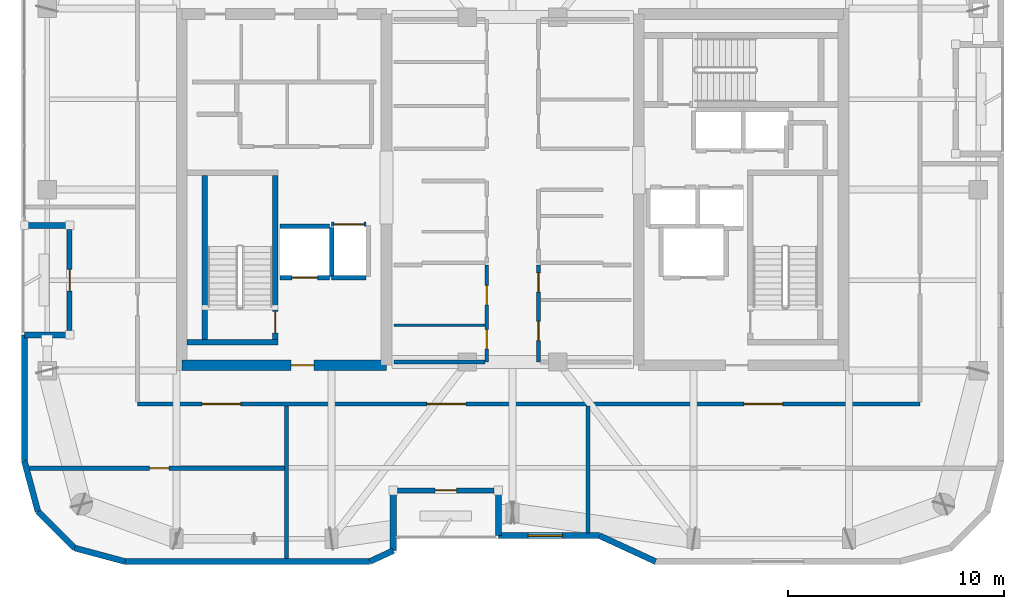
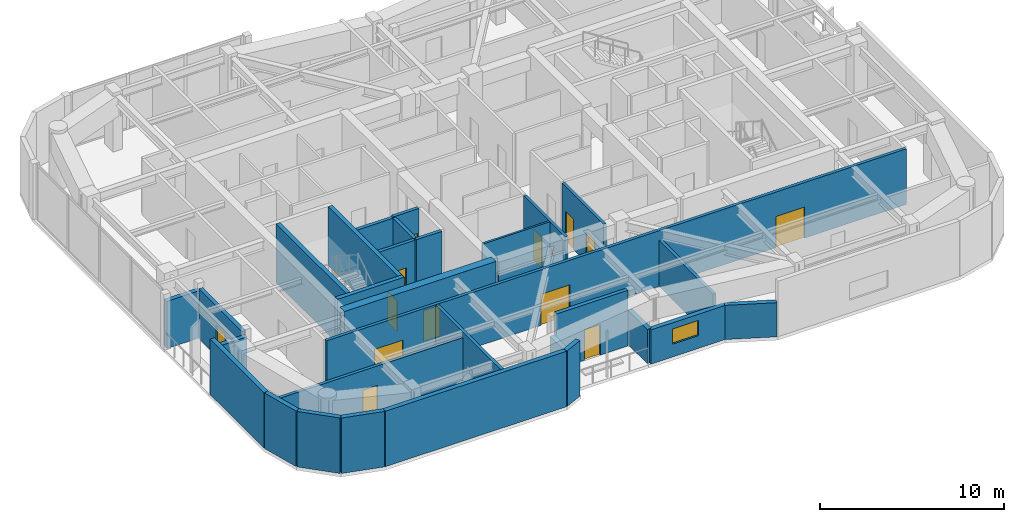
# One storey, part 10 of 16: 31 walls, 14 doors, 1 window, 15 openings.
"""IFC4 building model written with IfcOpenShell, lengths in metres."""

from ifc_helpers import new_model, si_unit, direction, frame, frame_2d, origin, place, context, subcontext, project, spatial, rectangle, extrude, material, layer, layer_set, type_object, element, fill, save


model = new_model("IFC4")

# Units and contexts
model_context = context("Model", 3, precision=1e-05, world=origin(), true_north=direction((0.0, 1.0)))
body_context = subcontext(model_context, "Body", "Model", "MODEL_VIEW")
ifc_project = project(units=[si_unit("LENGTHUNIT", "METRE"), si_unit("AREAUNIT", "SQUARE_METRE"), si_unit("VOLUMEUNIT", "CUBIC_METRE"), si_unit("PLANEANGLEUNIT", "RADIAN"), si_unit("MASSUNIT", "GRAM", prefix="KILO")], contexts=[model_context])

# Site, building, storey
site_placement = place(None, origin())
site = spatial("IfcSite", under=ifc_project, at=site_placement, CompositionType="ELEMENT")
building_placement = place(site_placement, origin())
building = spatial("IfcBuilding", under=site, at=building_placement, Name="Kiyonajd Concourse Tower", CompositionType="ELEMENT")
storey_placement = place(building_placement, frame((0.0, 0.0, 325.800048828125)))
storey = spatial("IfcBuildingStorey", under=building, at=storey_placement, Name="L82", CompositionType="ELEMENT", Elevation=325.800048828125)

# Wall, opening, door
ifc_material_1 = material(Name="Concrete C60/75", Category="concrete")
ifc_layer_1 = layer(ifc_material_1, 0.5)
ifc_layer_set_1 = layer_set([ifc_layer_1], Name="Concrete C60/75")
wall_type_1 = type_object("IfcWallType", Name="WL-CORE-500", PredefinedType="SHEAR", material=ifc_layer_set_1)
wall_1_placement = place(storey_placement, frame((32.64990234375, 27.85009765625, 0.0), z_axis=(0.0, 0.0, 1.0), x_axis=(1.0, 0.0, 0.0)))
wall_1 = element("IfcWall", 1, at=wall_1_placement, inside=storey, type_object=wall_type_1, Name="L82 West Core South Shear Wall", PredefinedType="SHEAR", context=body_context, shape_type="SweptSolid", body=[
    extrude(rectangle(XDim=9.5, YDim=0.5, at=frame_2d((4.75, 0.0))), origin(), (0.0, 0.0, 1.0), 3.89990234375),
])
opening_1_placement = place(wall_1_placement, frame((5.074951171875, 0.0, 0.0)))
opening_1 = element("IfcOpeningElement", 2, at=opening_1_placement, cuts=wall_1, Name="Opening DF5", PredefinedType="OPENING", context=body_context, shape_type="SweptSolid", body=[
    extrude(rectangle(XDim=1.050048828125, YDim=2.0400390625, at=frame_2d((0.52490234375, 1.02001953125))), frame((0.0, 0.260009765625, 0.0), z_axis=(0.0, -1.0, 0.0), x_axis=(1.0, 0.0, 0.0)), (0.0, 0.0, 1.0), 0.52001953125),
])
ifc_material_2 = material(Name="Brushed Stainless Steel Cab Assembly", Category="steel")
door_type_1 = type_object("IfcDoorType", Name="DR-FD45-1050", OperationType="NOTDEFINED", PredefinedType="DOOR", material=ifc_material_2)
door_1_placement = place(opening_1_placement, origin())
door_1 = element("IfcDoor", 3, at=door_1_placement, inside=storey, type_object=door_type_1, Name="L82 Firefighting Lift Lobby W Smoke Door", OperationType="SINGLE_SWING_LEFT", OverallHeight=2.0400390625, OverallWidth=1.050048828125, PredefinedType="DOOR", context=body_context, shape_type="SweptSolid", body=[
    extrude(rectangle(XDim=1.050048828125, YDim=2.0400390625, at=frame_2d((0.52490234375, 1.02001953125))), frame((0.0, 0.02490234375, 0.0), z_axis=(0.0, -1.0, 0.0), x_axis=(1.0, 0.0, 0.0)), (0.0, 0.0, 1.0), 0.050048828125),
])
fill(opening_1, door_1)

# Walls
ifc_material_3 = material(Name="Precast concrete C50/60", Category="concrete")
ifc_layer_2 = layer(ifc_material_3, 0.280029296875)
ifc_layer_set_2 = layer_set([ifc_layer_2], Name="Precast concrete C50/60")
wall_type_2 = type_object("IfcWallType", Name="WL-EXT-280", PredefinedType="SOLIDWALL", material=ifc_layer_set_2)
wall_2_placement = place(storey_placement, frame((25.968505859375, 21.072509765625, 0.0), z_axis=(0.0, 0.0, 1.0), x_axis=(-0.258751159445, 0.965944013639, 0.0)))
element("IfcWall", 4, at=wall_2_placement, inside=storey, type_object=wall_type_2, Name="L82 Exterior Concrete Frame Wall 00", PredefinedType="SOLIDWALL", context=body_context, shape_type="SweptSolid", body=[
    extrude(rectangle(XDim=2.4287109375, YDim=0.280029296875, at=frame_2d((1.21435546875, 0.0))), origin(), (0.0, 0.0, 1.0), 3.679931640625),
])
wall_3_placement = place(storey_placement, frame((25.340087890625, 23.41845703125, 0.0), z_axis=(0.0, 0.0, 1.0), x_axis=(0.0, 1.0, 0.0)))
element("IfcWall", 5, at=wall_3_placement, inside=storey, type_object=wall_type_2, Name="L82 Exterior Concrete Frame Wall 01", PredefinedType="SOLIDWALL", context=body_context, shape_type="SweptSolid", body=[
    extrude(rectangle(XDim=5.841552734375, YDim=0.280029296875, at=frame_2d((2.9208984375, 0.0))), origin(), (0.0, 0.0, 1.0), 3.679931640625),
])
for number, where, z_axis, x_axis, name in (
    (6, (25.340087890625, 29.260009765625, 0.0), (0.0, 0.0, 1.0), (1.0, 0.0, 0.0), "L82 Exterior Concrete Frame Wall 02"),
    (7, (27.43994140625, 34.340087890625, 0.0), (0.0, 0.0, 1.0), (-1.0, 0.0, 0.0), "L82 Exterior Concrete Frame Wall 04"),
):
    element("IfcWall", number, at=place(storey_placement, frame(where, z_axis=z_axis, x_axis=x_axis)), inside=storey, type_object=wall_type_2, Name=name, PredefinedType="SOLIDWALL", context=body_context, shape_type="SweptSolid", body=[
        extrude(rectangle(XDim=2.099853515625, YDim=0.280029296875, at=frame_2d((1.0498046875, 0.0))), origin(), (0.0, 0.0, 1.0), 3.1259765625),
    ])
wall_4_placement = place(storey_placement, frame((54.630615234375, 18.739990234375, 0.0), z_axis=(0.0, 0.0, 1.0), x_axis=(-0.907956889006, 0.419063584324, 0.0)))
element("IfcWall", 8, at=wall_4_placement, inside=storey, type_object=wall_type_2, Name="L82 Exterior Concrete Frame Wall 29", PredefinedType="SOLIDWALL", context=body_context, shape_type="SweptSolid", body=[
    extrude(rectangle(XDim=2.863525390625, YDim=0.280029296875, at=frame_2d((1.431640625, 0.0))), origin(), (0.0, 0.0, 1.0), 2.264892578125),
])

# Wall, opening, window
wall_5_placement = place(storey_placement, frame((52.03076171875, 19.93994140625, 0.0), z_axis=(0.0, 0.0, 1.0), x_axis=(-1.0, 0.0, 0.0)))
wall_5 = element("IfcWall", 9, at=wall_5_placement, inside=storey, type_object=wall_type_2, Name="L82 Exterior Concrete Frame Wall 30", PredefinedType="SOLIDWALL", context=body_context, shape_type="SweptSolid", body=[
    extrude(rectangle(XDim=4.690673828125, YDim=0.280029296875, at=frame_2d((2.34521484375, 0.0))), origin(), (0.0, 0.0, 1.0), 2.264892578125),
])
opening_2_placement = place(wall_5_placement, frame((1.716064453125, 0.0, 0.85009765625)))
opening_2 = element("IfcOpeningElement", 10, at=opening_2_placement, cuts=wall_5, Name="Opening WN6", PredefinedType="OPENING", context=body_context, shape_type="SweptSolid", body=[
    extrude(rectangle(XDim=1.60009765625, YDim=1.0, at=frame_2d((0.800048828125, 0.5))), frame((0.0, 0.14990234375, 0.0), z_axis=(0.0, -1.0, 0.0), x_axis=(1.0, 0.0, 0.0)), (0.0, 0.0, 1.0), 0.300048828125),
])
ifc_material_4 = material(Name="Double Low-E Insulated Glass", Category="glass")
window_type = type_object("IfcWindowType", Name="WN-VIS-1600x1000", PartitioningType="SINGLE_PANEL", PredefinedType="WINDOW", material=ifc_material_4)
window_placement = place(opening_2_placement, origin())
window = element("IfcWindow", 11, at=window_placement, inside=storey, type_object=window_type, Name="L82 Modular Facade Vision Window 30", OverallHeight=1.0, OverallWidth=1.60009765625, PartitioningType="SINGLE_PANEL", PredefinedType="WINDOW", context=body_context, shape_type="SweptSolid", body=[
    extrude(rectangle(XDim=1.60009765625, YDim=1.0, at=frame_2d((0.800048828125, 0.5))), frame((0.0, 0.030029296875, 0.0), z_axis=(0.0, -1.0, 0.0), x_axis=(1.0, 0.0, 0.0)), (0.0, 0.0, 1.0), 0.06005859375),
])
fill(opening_2, window)

# Walls
wall_6_placement = place(storey_placement, frame((47.340087890625, 19.93994140625, 0.0), z_axis=(0.0, 0.0, 1.0), x_axis=(0.0, 1.0, 0.0)))
element("IfcWall", 12, at=wall_6_placement, inside=storey, type_object=wall_type_2, Name="L82 Exterior Concrete Frame Wall 31", PredefinedType="SOLIDWALL", context=body_context, shape_type="SweptSolid", body=[
    extrude(rectangle(XDim=2.10009765625, YDim=0.280029296875, at=frame_2d((1.050048828125, 0.0))), origin(), (0.0, 0.0, 1.0), 2.264892578125),
])
wall_7_placement = place(storey_placement, frame((42.4599609375, 22.0400390625, 0.0), z_axis=(0.0, 0.0, 1.0), x_axis=(0.0, -1.0, 0.0)))
element("IfcWall", 13, at=wall_7_placement, inside=storey, type_object=wall_type_2, Name="L82 Exterior Concrete Frame Wall 33", PredefinedType="SOLIDWALL", context=body_context, shape_type="SweptSolid", body=[
    extrude(rectangle(XDim=2.79638671875, YDim=0.280029296875, at=frame_2d((1.398193359375, 0.0))), origin(), (0.0, 0.0, 1.0), 2.264892578125),
])
wall_8_placement = place(storey_placement, frame((42.4599609375, 19.24365234375, 0.0), z_axis=(0.0, 0.0, 1.0), x_axis=(-0.907893953211, -0.419199916176, 0.0)))
element("IfcWall", 14, at=wall_8_placement, inside=storey, type_object=wall_type_2, Name="L82 Exterior Concrete Frame Wall 34", PredefinedType="SOLIDWALL", context=body_context, shape_type="SweptSolid", body=[
    extrude(rectangle(XDim=1.201416015625, YDim=0.280029296875, at=frame_2d((0.6005859375, 0.0))), origin(), (0.0, 0.0, 1.0), 3.679931640625),
])
wall_9_placement = place(storey_placement, frame((41.369140625, 18.739990234375, 0.0), z_axis=(0.0, 0.0, 1.0), x_axis=(-1.0, 0.0, 0.0)))
element("IfcWall", 15, at=wall_9_placement, inside=storey, type_object=wall_type_2, Name="L82 Exterior Concrete Frame Wall 35", PredefinedType="SOLIDWALL", context=body_context, shape_type="SweptSolid", body=[
    extrude(rectangle(XDim=11.350830078125, YDim=0.280029296875, at=frame_2d((5.67529296875, 0.0))), origin(), (0.0, 0.0, 1.0), 3.679931640625),
])
wall_10_placement = place(storey_placement, frame((30.018310546875, 18.739990234375, 0.0), z_axis=(0.0, 0.0, 1.0), x_axis=(-0.965937282298, 0.25877628691, 0.0)))
element("IfcWall", 16, at=wall_10_placement, inside=storey, type_object=wall_type_2, Name="L82 Exterior Concrete Frame Wall 36", PredefinedType="SOLIDWALL", context=body_context, shape_type="SweptSolid", body=[
    extrude(rectangle(XDim=2.428466796875, YDim=0.280029296875, at=frame_2d((1.21435546875, 0.0))), origin(), (0.0, 0.0, 1.0), 3.679931640625),
])
wall_11_placement = place(storey_placement, frame((27.672607421875, 19.368408203125, 0.0), z_axis=(0.0, 0.0, 1.0), x_axis=(-0.707106781187, 0.707106781187, 0.0)))
element("IfcWall", 17, at=wall_11_placement, inside=storey, type_object=wall_type_2, Name="L82 Exterior Concrete Frame Wall 37", PredefinedType="SOLIDWALL", context=body_context, shape_type="SweptSolid", body=[
    extrude(rectangle(XDim=2.409912109375, YDim=0.280029296875, at=frame_2d((1.205078125, 0.0))), origin(), (0.0, 0.0, 1.0), 3.679931640625),
])

# Wall, opening, door
ifc_layer_3 = layer(ifc_material_3, 0.239990234375)
ifc_layer_set_3 = layer_set([ifc_layer_3], Name="Precast concrete C50/60")
wall_type_3 = type_object("IfcWallType", Name="WL-LOG-240", PredefinedType="SOLIDWALL", material=ifc_layer_set_3)
wall_12_placement = place(storey_placement, frame((27.43994140625, 29.455078125, 0.0), z_axis=(0.0, 0.0, 1.0), x_axis=(0.0, 1.0, 0.0)))
wall_12 = element("IfcWall", 18, at=wall_12_placement, inside=storey, type_object=wall_type_3, Name="L82 Recessed Loggia Thermal Wall LOG-W", PredefinedType="SOLIDWALL", context=body_context, shape_type="SweptSolid", body=[
    extrude(rectangle(XDim=4.68994140625, YDim=0.239990234375, at=frame_2d((2.344970703125, 0.0))), origin(), (0.0, 0.0, 1.0), 3.31103515625),
])
opening_3_placement = place(wall_12_placement, frame((1.844970703125, 0.0, 0.0)))
opening_3 = element("IfcOpeningElement", 19, at=opening_3_placement, cuts=wall_12, Name="Opening DL1", PredefinedType="OPENING", context=body_context, shape_type="SweptSolid", body=[
    extrude(rectangle(XDim=1.0, YDim=2.02001953125, at=frame_2d((0.5, 1.010009765625))), frame((0.0, 0.1298828125, 0.0), z_axis=(0.0, -1.0, 0.0), x_axis=(1.0, 0.0, 0.0)), (0.0, 0.0, 1.0), 0.260009765625),
])
ifc_material_5 = material(Name="Thermally Broken Anodised Aluminium", Category="aluminium")
door_type_2 = type_object("IfcDoorType", Name="DR-LOG-1000", OperationType="NOTDEFINED", PredefinedType="DOOR", material=ifc_material_5)
door_2_placement = place(opening_3_placement, origin())
door_2 = element("IfcDoor", 20, at=door_2_placement, inside=storey, type_object=door_type_2, Name="L82 Engawa Loggia Access Door LOG-W", OperationType="SINGLE_SWING_LEFT", OverallHeight=2.02001953125, OverallWidth=1.0, PredefinedType="DOOR", context=body_context, shape_type="SweptSolid", body=[
    extrude(rectangle(XDim=1.0, YDim=2.02001953125, at=frame_2d((0.5, 1.010009765625))), frame((0.0, 0.02490234375, 0.0), z_axis=(0.0, -1.0, 0.0), x_axis=(1.0, 0.0, 0.0)), (0.0, 0.0, 1.0), 0.050048828125),
])
fill(opening_3, door_2)

wall_13_placement = place(storey_placement, frame((47.14501953125, 22.0400390625, 0.0), z_axis=(0.0, 0.0, 1.0), x_axis=(-1.0, 0.0, 0.0)))
wall_13 = element("IfcWall", 21, at=wall_13_placement, inside=storey, type_object=wall_type_3, Name="L82 Recessed Loggia Thermal Wall LOG-S", PredefinedType="SOLIDWALL", context=body_context, shape_type="SweptSolid", body=[
    extrude(rectangle(XDim=4.489990234375, YDim=0.239990234375, at=frame_2d((2.2451171875, 0.0))), origin(), (0.0, 0.0, 1.0), 3.679931640625),
])
opening_4_placement = place(wall_13_placement, frame((1.7451171875, 0.0, 0.0)))
opening_4 = element("IfcOpeningElement", 22, at=opening_4_placement, cuts=wall_13, Name="Opening DL1", PredefinedType="OPENING", context=body_context, shape_type="SweptSolid", body=[
    extrude(rectangle(XDim=1.0, YDim=2.02001953125, at=frame_2d((0.5, 1.010009765625))), frame((0.0, 0.1298828125, 0.0), z_axis=(0.0, -1.0, 0.0), x_axis=(1.0, 0.0, 0.0)), (0.0, 0.0, 1.0), 0.260009765625),
])
door_3_placement = place(opening_4_placement, origin())
door_3 = element("IfcDoor", 23, at=door_3_placement, inside=storey, type_object=door_type_2, Name="L82 Engawa Loggia Access Door LOG-S", OperationType="SINGLE_SWING_RIGHT", OverallHeight=2.02001953125, OverallWidth=1.0, PredefinedType="DOOR", context=body_context, shape_type="SweptSolid", body=[
    extrude(rectangle(XDim=1.0, YDim=2.02001953125, at=frame_2d((0.5, 1.010009765625))), frame((0.0, 0.02490234375, 0.0), z_axis=(0.0, -1.0, 0.0), x_axis=(1.0, 0.0, 0.0)), (0.0, 0.0, 1.0), 0.050048828125),
])
fill(opening_4, door_3)

# Wall
ifc_material_6 = material(Name="Gypsum Board on Cold-Formed Steel Stud", Category="steel")
ifc_layer_4 = layer(ifc_material_6, 0.125)
ifc_layer_set_4 = layer_set([ifc_layer_4], Name="Gypsum Board on Cold-Formed Steel Stud")
wall_type_4 = type_object("IfcWallType", Name="WL-PART-125", PredefinedType="PARTITIONING", material=ifc_layer_set_4)
wall_14_placement = place(storey_placement, frame((42.5, 29.7099609375, 0.0), z_axis=(0.0, 0.0, 1.0), x_axis=(1.0, 0.0, 0.0)))
element("IfcWall", 24, at=wall_14_placement, inside=storey, type_object=wall_type_4, Name="L82 Interior Partition Wall", PredefinedType="PARTITIONING", context=body_context, shape_type="SweptSolid", body=[
    extrude(rectangle(XDim=4.212890625, YDim=0.125, at=frame_2d((2.1064453125, 0.0))), origin(), (0.0, 0.0, 1.0), 3.679931640625),
])

# Wall, openings, doors
ifc_layer_5 = layer(ifc_material_6, 0.18994140625)
ifc_layer_set_5 = layer_set([ifc_layer_5], Name="Gypsum Board on Cold-Formed Steel Stud")
wall_type_5 = type_object("IfcWallType", Name="WL-PLMB-190", PredefinedType="PLUMBINGWALL", material=ifc_layer_set_5)
wall_15_placement = place(storey_placement, frame((30.60009765625, 26.050048828125, 0.0), z_axis=(0.0, 0.0, 1.0), x_axis=(1.0, 0.0, 0.0)))
wall_15 = element("IfcWall", 25, at=wall_15_placement, inside=storey, type_object=wall_type_5, Name="L82 Interior Partition Wall", PredefinedType="PLUMBINGWALL", context=body_context, shape_type="SweptSolid", body=[
    extrude(rectangle(XDim=36.2998046875, YDim=0.18994140625, at=frame_2d((18.14990234375, 0.0))), origin(), (0.0, 0.0, 1.0), 3.679931640625),
])
opening_5_placement = place(wall_15_placement, frame((2.97509765625, 0.0, 0.0)))
opening_5 = element("IfcOpeningElement", 26, at=opening_5_placement, cuts=wall_15, Name="Opening DI3", PredefinedType="OPENING", context=body_context, shape_type="SweptSolid", body=[
    extrude(rectangle(XDim=1.800048828125, YDim=2.06005859375, at=frame_2d((0.89990234375, 1.030029296875))), frame((0.0, 0.10498046875, 0.0), z_axis=(0.0, -1.0, 0.0), x_axis=(1.0, 0.0, 0.0)), (0.0, 0.0, 1.0), 0.2099609375),
])
opening_6_placement = place(wall_15_placement, frame((13.425048828125, 0.0, 0.0)))
opening_6 = element("IfcOpeningElement", 27, at=opening_6_placement, cuts=wall_15, Name="Opening DI3", PredefinedType="OPENING", context=body_context, shape_type="SweptSolid", body=[
    extrude(rectangle(XDim=1.800048828125, YDim=2.06005859375, at=frame_2d((0.89990234375, 1.030029296875))), frame((0.0, 0.10498046875, 0.0), z_axis=(0.0, -1.0, 0.0), x_axis=(1.0, 0.0, 0.0)), (0.0, 0.0, 1.0), 0.2099609375),
])
opening_7_placement = place(wall_15_placement, frame((28.125, 0.0, 0.0)))
opening_7 = element("IfcOpeningElement", 28, at=opening_7_placement, cuts=wall_15, Name="Opening DI3", PredefinedType="OPENING", context=body_context, shape_type="SweptSolid", body=[
    extrude(rectangle(XDim=1.800048828125, YDim=2.06005859375, at=frame_2d((0.89990234375, 1.030029296875))), frame((0.0, 0.10498046875, 0.0), z_axis=(0.0, -1.0, 0.0), x_axis=(1.0, 0.0, 0.0)), (0.0, 0.0, 1.0), 0.2099609375),
])
door_type_3 = type_object("IfcDoorType", Name="DR-PAIR-1800", OperationType="DOUBLE_DOOR_SINGLE_SWING", PredefinedType="DOOR", material=ifc_material_2)
door_4_placement = place(opening_5_placement, origin())
door_4 = element("IfcDoor", 29, at=door_4_placement, inside=storey, type_object=door_type_3, Name="L82 Interior Door", OperationType="DOUBLE_DOOR_SINGLE_SWING", OverallHeight=2.06005859375, OverallWidth=1.800048828125, PredefinedType="DOOR", context=body_context, shape_type="SweptSolid", body=[
    extrude(rectangle(XDim=1.800048828125, YDim=2.06005859375, at=frame_2d((0.89990234375, 1.030029296875))), frame((0.0, 0.02490234375, 0.0), z_axis=(0.0, -1.0, 0.0), x_axis=(1.0, 0.0, 0.0)), (0.0, 0.0, 1.0), 0.050048828125),
])
fill(opening_5, door_4)
door_5_placement = place(opening_6_placement, origin())
door_5 = element("IfcDoor", 30, at=door_5_placement, inside=storey, type_object=door_type_3, Name="L82 Interior Door", OperationType="DOUBLE_DOOR_SINGLE_SWING", OverallHeight=2.06005859375, OverallWidth=1.800048828125, PredefinedType="DOOR", context=body_context, shape_type="SweptSolid", body=[
    extrude(rectangle(XDim=1.800048828125, YDim=2.06005859375, at=frame_2d((0.89990234375, 1.030029296875))), frame((0.0, 0.02490234375, 0.0), z_axis=(0.0, -1.0, 0.0), x_axis=(1.0, 0.0, 0.0)), (0.0, 0.0, 1.0), 0.050048828125),
])
fill(opening_6, door_5)
door_6_placement = place(opening_7_placement, origin())
door_6 = element("IfcDoor", 31, at=door_6_placement, inside=storey, type_object=door_type_3, Name="L82 Interior Door", OperationType="DOUBLE_DOOR_SINGLE_SWING", OverallHeight=2.06005859375, OverallWidth=1.800048828125, PredefinedType="DOOR", context=body_context, shape_type="SweptSolid", body=[
    extrude(rectangle(XDim=1.800048828125, YDim=2.06005859375, at=frame_2d((0.89990234375, 1.030029296875))), frame((0.0, 0.02490234375, 0.0), z_axis=(0.0, -1.0, 0.0), x_axis=(1.0, 0.0, 0.0)), (0.0, 0.0, 1.0), 0.050048828125),
])
fill(opening_7, door_6)

# Wall, opening, door
wall_16_placement = place(storey_placement, frame((25.574951171875, 23.070068359375, 0.0), z_axis=(0.0, 0.0, 1.0), x_axis=(1.0, 0.0, 0.0)))
wall_16 = element("IfcWall", 32, at=wall_16_placement, inside=storey, type_object=wall_type_5, Name="L82 Interior Partition Wall", PredefinedType="PLUMBINGWALL", context=body_context, shape_type="SweptSolid", body=[
    extrude(rectangle(XDim=11.925048828125, YDim=0.18994140625, at=frame_2d((5.96240234375, 0.0))), origin(), (0.0, 0.0, 1.0), 3.31103515625),
])
opening_8_placement = place(wall_16_placement, frame((5.574951171875, 0.0, 0.0)))
opening_8 = element("IfcOpeningElement", 33, at=opening_8_placement, cuts=wall_16, Name="Opening DI2", PredefinedType="OPENING", context=body_context, shape_type="SweptSolid", body=[
    extrude(rectangle(XDim=0.89990234375, YDim=2.02001953125, at=frame_2d((0.449951171875, 1.010009765625))), frame((0.0, 0.10498046875, 0.0), z_axis=(0.0, -1.0, 0.0), x_axis=(1.0, 0.0, 0.0)), (0.0, 0.0, 1.0), 0.2099609375),
])
ifc_material_7 = material(Name="Natural Oak Acoustic Timber Veneer", Category="wood")
door_type_4 = type_object("IfcDoorType", Name="DR-INT-900", OperationType="NOTDEFINED", PredefinedType="DOOR", material=ifc_material_7)
door_7_placement = place(opening_8_placement, origin())
door_7 = element("IfcDoor", 34, at=door_7_placement, inside=storey, type_object=door_type_4, Name="L82 Interior Door", OperationType="SINGLE_SWING_LEFT", OverallHeight=2.02001953125, OverallWidth=0.89990234375, PredefinedType="DOOR", context=body_context, shape_type="SweptSolid", body=[
    extrude(rectangle(XDim=0.89990234375, YDim=2.02001953125, at=frame_2d((0.449951171875, 1.010009765625))), frame((0.0, 0.02490234375, 0.0), z_axis=(0.0, -1.0, 0.0), x_axis=(1.0, 0.0, 0.0)), (0.0, 0.0, 1.0), 0.050048828125),
])
fill(opening_8, door_7)

# Walls
wall_17_placement = place(storey_placement, frame((37.5, 18.875, 0.0), z_axis=(0.0, 0.0, 1.0), x_axis=(0.0, 1.0, 0.0)))
element("IfcWall", 35, at=wall_17_placement, inside=storey, type_object=wall_type_5, Name="L82 Interior Partition Wall", PredefinedType="PLUMBINGWALL", context=body_context, shape_type="SweptSolid", body=[
    extrude(rectangle(XDim=7.077880859375, YDim=0.18994140625, at=frame_2d((3.5390625, 0.0))), origin(), (0.0, 0.0, 1.0), 3.679931640625),
])
wall_18_placement = place(storey_placement, frame((51.5, 20.074951171875, 0.0), z_axis=(0.0, 0.0, 1.0), x_axis=(0.0, 1.0, 0.0)))
element("IfcWall", 36, at=wall_18_placement, inside=storey, type_object=wall_type_5, Name="L82 Interior Partition Wall", PredefinedType="PLUMBINGWALL", context=body_context, shape_type="SweptSolid", body=[
    extrude(rectangle(XDim=5.8779296875, YDim=0.18994140625, at=frame_2d((2.93896484375, 0.0))), origin(), (0.0, 0.0, 1.0), 3.04296875),
])

# Wall, opening, door
ifc_layer_6 = layer(ifc_material_6, 0.2099609375)
ifc_layer_set_6 = layer_set([ifc_layer_6], Name="Gypsum Board on Cold-Formed Steel Stud")
wall_type_6 = type_object("IfcWallType", Name="WL-SHAFT-210", PredefinedType="PARTITIONING", material=ifc_layer_set_6)
wall_19_placement = place(storey_placement, frame((37.199951171875, 31.89990234375, 0.0), z_axis=(0.0, 0.0, 1.0), x_axis=(1.0, 0.0, 0.0)))
wall_19 = element("IfcWall", 37, at=wall_19_placement, inside=storey, type_object=wall_type_6, Name="L82 Shaft Enclosure Wall", PredefinedType="PARTITIONING", context=body_context, shape_type="SweptSolid", body=[
    extrude(rectangle(XDim=2.300048828125, YDim=0.2099609375, at=frame_2d((1.14990234375, 0.0))), origin(), (0.0, 0.0, 1.0), 3.679931640625),
])
opening_9_placement = place(wall_19_placement, frame((0.550048828125, 0.0, 0.0)))
opening_9 = element("IfcOpeningElement", 38, at=opening_9_placement, cuts=wall_19, Name="Opening LD2", PredefinedType="OPENING", context=body_context, shape_type="SweptSolid", body=[
    extrude(rectangle(XDim=1.199951171875, YDim=2.0400390625, at=frame_2d((0.60009765625, 1.02001953125))), frame((0.0, 0.114990234375, 0.0), z_axis=(0.0, -1.0, 0.0), x_axis=(1.0, 0.0, 0.0)), (0.0, 0.0, 1.0), 0.22998046875),
])
door_type_5 = type_object("IfcDoorType", Name="DR-LD-1200", OperationType="DOUBLE_DOOR_SLIDING", PredefinedType="DOOR", material=ifc_material_2)
door_8_placement = place(opening_9_placement, origin())
door_8 = element("IfcDoor", 39, at=door_8_placement, inside=storey, type_object=door_type_5, Name="L82 Lift FFL1 Sliding Landing Door", OperationType="DOUBLE_DOOR_SLIDING", OverallHeight=2.0400390625, OverallWidth=1.199951171875, PredefinedType="DOOR", context=body_context, shape_type="SweptSolid", body=[
    extrude(rectangle(XDim=1.199951171875, YDim=2.0400390625, at=frame_2d((0.60009765625, 1.02001953125))), frame((0.0, 0.02490234375, 0.0), z_axis=(0.0, -1.0, 0.0), x_axis=(1.0, 0.0, 0.0)), (0.0, 0.0, 1.0), 0.050048828125),
])
fill(opening_9, door_8)

# Walls
wall_20_placement = place(storey_placement, frame((37.199951171875, 34.300048828125, 0.0), z_axis=(0.0, 0.0, 1.0), x_axis=(1.0, 0.0, 0.0)))
element("IfcWall", 40, at=wall_20_placement, inside=storey, type_object=wall_type_6, Name="L82 Shaft Enclosure Wall", PredefinedType="PARTITIONING", context=body_context, shape_type="SweptSolid", body=[
    extrude(rectangle(XDim=2.300048828125, YDim=0.2099609375, at=frame_2d((1.14990234375, 0.0))), origin(), (0.0, 0.0, 1.0), 3.679931640625),
])
wall_21_placement = place(storey_placement, frame((39.60009765625, 31.9599609375, 0.0), z_axis=(0.0, 0.0, 1.0), x_axis=(0.0, 1.0, 0.0)))
element("IfcWall", 41, at=wall_21_placement, inside=storey, type_object=wall_type_6, Name="L82 Shaft Enclosure Wall", PredefinedType="PARTITIONING", context=body_context, shape_type="SweptSolid", body=[
    extrude(rectangle(XDim=2.280029296875, YDim=0.2099609375, at=frame_2d((1.14013671875, 0.0))), origin(), (0.0, 0.0, 1.0), 3.679931640625),
])

# Wall, opening, door
wall_22_placement = place(storey_placement, frame((39.60009765625, 34.39990234375, 0.0), z_axis=(0.0, 0.0, 1.0), x_axis=(1.0, 0.0, 0.0)))
wall_22 = element("IfcWall", 42, at=wall_22_placement, inside=storey, type_object=wall_type_6, Name="L82 Shaft Enclosure Wall", PredefinedType="PARTITIONING", context=body_context, shape_type="SweptSolid", body=[
    extrude(rectangle(XDim=1.599853515625, YDim=0.2099609375, at=frame_2d((0.7998046875, 0.0))), origin(), (0.0, 0.0, 1.0), 3.679931640625),
])
opening_10_placement = place(wall_22_placement, frame((0.10009765625, 0.0, 0.0)))
opening_10 = element("IfcOpeningElement", 43, at=opening_10_placement, cuts=wall_22, Name="Opening LD3", PredefinedType="OPENING", context=body_context, shape_type="SweptSolid", body=[
    extrude(rectangle(XDim=1.39990234375, YDim=2.06005859375, at=frame_2d((0.699951171875, 1.030029296875))), frame((0.0, 0.114990234375, 0.0), z_axis=(0.0, -1.0, 0.0), x_axis=(1.0, 0.0, 0.0)), (0.0, 0.0, 1.0), 0.22998046875),
])
door_type_6 = type_object("IfcDoorType", Name="DR-LD-1400", OperationType="DOUBLE_DOOR_SLIDING", PredefinedType="DOOR", material=ifc_material_2)
door_9_placement = place(opening_10_placement, origin())
door_9 = element("IfcDoor", 44, at=door_9_placement, inside=storey, type_object=door_type_6, Name="L82 Lift SVL1 Sliding Landing Door", OperationType="DOUBLE_DOOR_SLIDING", OverallHeight=2.06005859375, OverallWidth=1.39990234375, PredefinedType="DOOR", context=body_context, shape_type="SweptSolid", body=[
    extrude(rectangle(XDim=1.39990234375, YDim=2.06005859375, at=frame_2d((0.699951171875, 1.030029296875))), frame((0.0, 0.02490234375, 0.0), z_axis=(0.0, -1.0, 0.0), x_axis=(1.0, 0.0, 0.0)), (0.0, 0.0, 1.0), 0.050048828125),
])
fill(opening_10, door_9)

# Wall
wall_23_placement = place(storey_placement, frame((39.60009765625, 31.89990234375, 0.0), z_axis=(0.0, 0.0, 1.0), x_axis=(1.0, 0.0, 0.0)))
element("IfcWall", 45, at=wall_23_placement, inside=storey, type_object=wall_type_6, Name="L82 Shaft Enclosure Wall", PredefinedType="PARTITIONING", context=body_context, shape_type="SweptSolid", body=[
    extrude(rectangle(XDim=1.599853515625, YDim=0.2099609375, at=frame_2d((0.7998046875, 0.0))), origin(), (0.0, 0.0, 1.0), 3.679931640625),
])

# Wall, openings, doors
ifc_layer_7 = layer(ifc_material_6, 0.169921875)
ifc_layer_set_7 = layer_set([ifc_layer_7], Name="Gypsum Board on Cold-Formed Steel Stud")
wall_type_7 = type_object("IfcWallType", Name="WL-SMK-170", PredefinedType="PARTITIONING", material=ifc_layer_set_7)
wall_24_placement = place(storey_placement, frame((46.800048828125, 28.0, 0.0), z_axis=(0.0, 0.0, 1.0), x_axis=(0.0, 1.0, 0.0)))
wall_24 = element("IfcWall", 46, at=wall_24_placement, inside=storey, type_object=wall_type_7, Name="L82 Interior Partition Wall", PredefinedType="PARTITIONING", context=body_context, shape_type="SweptSolid", body=[
    extrude(rectangle(XDim=4.5, YDim=0.169921875, at=frame_2d((2.25, 0.0))), origin(), (0.0, 0.0, 1.0), 3.679931640625),
])
opening_11_placement = place(wall_24_placement, frame((0.60498046875, 0.0, 0.0)))
opening_11 = element("IfcOpeningElement", 47, at=opening_11_placement, cuts=wall_24, Name="Opening DI2", PredefinedType="OPENING", context=body_context, shape_type="SweptSolid", body=[
    extrude(rectangle(XDim=0.89990234375, YDim=2.02001953125, at=frame_2d((0.449951171875, 1.010009765625))), frame((0.0, 0.094970703125, 0.0), z_axis=(0.0, -1.0, 0.0), x_axis=(1.0, 0.0, 0.0)), (0.0, 0.0, 1.0), 0.18994140625),
])
opening_12_placement = place(wall_24_placement, frame((2.655029296875, 0.0, 0.0)))
opening_12 = element("IfcOpeningElement", 48, at=opening_12_placement, cuts=wall_24, Name="Opening DI2", PredefinedType="OPENING", context=body_context, shape_type="SweptSolid", body=[
    extrude(rectangle(XDim=0.89990234375, YDim=2.02001953125, at=frame_2d((0.449951171875, 1.010009765625))), frame((0.0, 0.094970703125, 0.0), z_axis=(0.0, -1.0, 0.0), x_axis=(1.0, 0.0, 0.0)), (0.0, 0.0, 1.0), 0.18994140625),
])
door_10_placement = place(opening_11_placement, origin())
door_10 = element("IfcDoor", 49, at=door_10_placement, inside=storey, type_object=door_type_4, Name="L82 Interior Door", OperationType="SINGLE_SWING_RIGHT", OverallHeight=2.02001953125, OverallWidth=0.89990234375, PredefinedType="DOOR", context=body_context, shape_type="SweptSolid", body=[
    extrude(rectangle(XDim=0.89990234375, YDim=2.02001953125, at=frame_2d((0.449951171875, 1.010009765625))), frame((0.0, 0.02490234375, 0.0), z_axis=(0.0, -1.0, 0.0), x_axis=(1.0, 0.0, 0.0)), (0.0, 0.0, 1.0), 0.050048828125),
])
fill(opening_11, door_10)
door_11_placement = place(opening_12_placement, origin())
door_11 = element("IfcDoor", 50, at=door_11_placement, inside=storey, type_object=door_type_4, Name="L82 Interior Door", OperationType="SINGLE_SWING_LEFT", OverallHeight=2.02001953125, OverallWidth=0.89990234375, PredefinedType="DOOR", context=body_context, shape_type="SweptSolid", body=[
    extrude(rectangle(XDim=0.89990234375, YDim=2.02001953125, at=frame_2d((0.449951171875, 1.010009765625))), frame((0.0, 0.02490234375, 0.0), z_axis=(0.0, -1.0, 0.0), x_axis=(1.0, 0.0, 0.0)), (0.0, 0.0, 1.0), 0.050048828125),
])
fill(opening_12, door_11)

# Wall
wall_25_placement = place(storey_placement, frame((42.5, 28.0, 0.0), z_axis=(0.0, 0.0, 1.0), x_axis=(1.0, 0.0, 0.0)))
element("IfcWall", 51, at=wall_25_placement, inside=storey, type_object=wall_type_7, Name="L82 Interior Partition Wall", PredefinedType="PARTITIONING", context=body_context, shape_type="SweptSolid", body=[
    extrude(rectangle(XDim=4.212890625, YDim=0.169921875, at=frame_2d((2.1064453125, 0.0))), origin(), (0.0, 0.0, 1.0), 2.764892578125),
])

# Wall, openings, doors
wall_26_placement = place(storey_placement, frame((49.199951171875, 28.0, 0.0), z_axis=(0.0, 0.0, 1.0), x_axis=(0.0, 1.0, 0.0)))
wall_26 = element("IfcWall", 52, at=wall_26_placement, inside=storey, type_object=wall_type_7, Name="L82 Interior Partition Wall", PredefinedType="PARTITIONING", context=body_context, shape_type="SweptSolid", body=[
    extrude(rectangle(XDim=4.5, YDim=0.169921875, at=frame_2d((2.25, 0.0))), origin(), (0.0, 0.0, 1.0), 3.679931640625),
])
opening_13_placement = place(wall_26_placement, frame((0.989990234375, 0.0, 0.0)))
opening_13 = element("IfcOpeningElement", 53, at=opening_13_placement, cuts=wall_26, Name="Opening DF4", PredefinedType="OPENING", context=body_context, shape_type="SweptSolid", body=[
    extrude(rectangle(XDim=0.89990234375, YDim=2.02001953125, at=frame_2d((0.449951171875, 1.010009765625))), frame((0.0, 0.094970703125, 0.0), z_axis=(0.0, -1.0, 0.0), x_axis=(1.0, 0.0, 0.0)), (0.0, 0.0, 1.0), 0.18994140625),
])
opening_14_placement = place(wall_26_placement, frame((3.239990234375, 0.0, 0.0)))
opening_14 = element("IfcOpeningElement", 54, at=opening_14_placement, cuts=wall_26, Name="Opening DF4", PredefinedType="OPENING", context=body_context, shape_type="SweptSolid", body=[
    extrude(rectangle(XDim=0.89990234375, YDim=2.02001953125, at=frame_2d((0.449951171875, 1.010009765625))), frame((0.0, 0.094970703125, 0.0), z_axis=(0.0, -1.0, 0.0), x_axis=(1.0, 0.0, 0.0)), (0.0, 0.0, 1.0), 0.18994140625),
])
door_type_7 = type_object("IfcDoorType", Name="DR-FD60-900", OperationType="NOTDEFINED", PredefinedType="DOOR", material=ifc_material_2)
door_12_placement = place(opening_13_placement, origin())
door_12 = element("IfcDoor", 55, at=door_12_placement, inside=storey, type_object=door_type_7, Name="L82 Interior Door", OperationType="SINGLE_SWING_RIGHT", OverallHeight=2.02001953125, OverallWidth=0.89990234375, PredefinedType="DOOR", context=body_context, shape_type="SweptSolid", body=[
    extrude(rectangle(XDim=0.89990234375, YDim=2.02001953125, at=frame_2d((0.449951171875, 1.010009765625))), frame((0.0, 0.02490234375, 0.0), z_axis=(0.0, -1.0, 0.0), x_axis=(1.0, 0.0, 0.0)), (0.0, 0.0, 1.0), 0.050048828125),
])
fill(opening_13, door_12)
door_13_placement = place(opening_14_placement, origin())
door_13 = element("IfcDoor", 56, at=door_13_placement, inside=storey, type_object=door_type_7, Name="L82 Interior Door", OperationType="SINGLE_SWING_LEFT", OverallHeight=2.02001953125, OverallWidth=0.89990234375, PredefinedType="DOOR", context=body_context, shape_type="SweptSolid", body=[
    extrude(rectangle(XDim=0.89990234375, YDim=2.02001953125, at=frame_2d((0.449951171875, 1.010009765625))), frame((0.0, 0.02490234375, 0.0), z_axis=(0.0, -1.0, 0.0), x_axis=(1.0, 0.0, 0.0)), (0.0, 0.0, 1.0), 0.050048828125),
])
fill(opening_14, door_13)

# Walls
ifc_material_8 = material(Name="Concrete C50/60", Category="concrete")
ifc_layer_8 = layer(ifc_material_8, 0.260009765625)
ifc_layer_set_8 = layer_set([ifc_layer_8], Name="Concrete C50/60")
wall_type_8 = type_object("IfcWallType", Name="WL-STAIR-260", PredefinedType="SHEAR", material=ifc_layer_set_8)
wall_27_placement = place(storey_placement, frame((32.89990234375, 28.919921875, 0.0), z_axis=(0.0, 0.0, 1.0), x_axis=(1.0, 0.0, 0.0)))
element("IfcWall", 57, at=wall_27_placement, inside=storey, type_object=wall_type_8, Name="L82 Stair ST1 Structural South Wall", PredefinedType="SHEAR", context=body_context, shape_type="SweptSolid", body=[
    extrude(rectangle(XDim=4.210205078125, YDim=0.260009765625, at=frame_2d((2.10498046875, 0.0))), origin(), (0.0, 0.0, 1.0), 3.89990234375),
])
wall_28_placement = place(storey_placement, frame((33.719970703125, 29.050048828125, 0.0), z_axis=(0.0, 0.0, 1.0), x_axis=(0.0, 1.0, 0.0)))
element("IfcWall", 58, at=wall_28_placement, inside=storey, type_object=wall_type_8, Name="L82 Stair ST1 Structural West Wall", PredefinedType="SHEAR", context=body_context, shape_type="SweptSolid", body=[
    extrude(rectangle(XDim=7.599853515625, YDim=0.260009765625, at=frame_2d((3.7998046875, 0.0))), origin(), (0.0, 0.0, 1.0), 3.89990234375),
])

# Wall, opening, door
wall_29_placement = place(storey_placement, frame((36.97998046875, 29.050048828125, 0.0), z_axis=(0.0, 0.0, 1.0), x_axis=(0.0, 1.0, 0.0)))
wall_29 = element("IfcWall", 59, at=wall_29_placement, inside=storey, type_object=wall_type_8, Name="L82 Stair ST1 Structural East Wall", PredefinedType="SHEAR", context=body_context, shape_type="SweptSolid", body=[
    extrude(rectangle(XDim=7.599853515625, YDim=0.260009765625, at=frame_2d((3.7998046875, 0.0))), origin(), (0.0, 0.0, 1.0), 3.89990234375),
])
opening_15_placement = place(wall_29_placement, frame((0.300048828125, 0.0, 0.0)))
opening_15 = element("IfcOpeningElement", 60, at=opening_15_placement, cuts=wall_29, Name="Opening DF1", PredefinedType="OPENING", context=body_context, shape_type="SweptSolid", body=[
    extrude(rectangle(XDim=1.0, YDim=2.0400390625, at=frame_2d((0.5, 1.02001953125))), frame((0.0, 0.139892578125, 0.0), z_axis=(0.0, -1.0, 0.0), x_axis=(1.0, 0.0, 0.0)), (0.0, 0.0, 1.0), 0.280029296875),
])
door_type_8 = type_object("IfcDoorType", Name="DR-FD90-1000", OperationType="NOTDEFINED", PredefinedType="DOOR", material=ifc_material_2)
door_14_placement = place(opening_15_placement, origin())
door_14 = element("IfcDoor", 61, at=door_14_placement, inside=storey, type_object=door_type_8, Name="L82 Stair ST1 FSAE Door", OperationType="SINGLE_SWING_LEFT", OverallHeight=2.0400390625, OverallWidth=1.0, PredefinedType="DOOR", context=body_context, shape_type="SweptSolid", body=[
    extrude(rectangle(XDim=1.0, YDim=2.0400390625, at=frame_2d((0.5, 1.02001953125))), frame((0.0, 0.02490234375, 0.0), z_axis=(0.0, -1.0, 0.0), x_axis=(1.0, 0.0, 0.0)), (0.0, 0.0, 1.0), 0.050048828125),
])
fill(opening_15, door_14)

save(model, "model.ifc")
